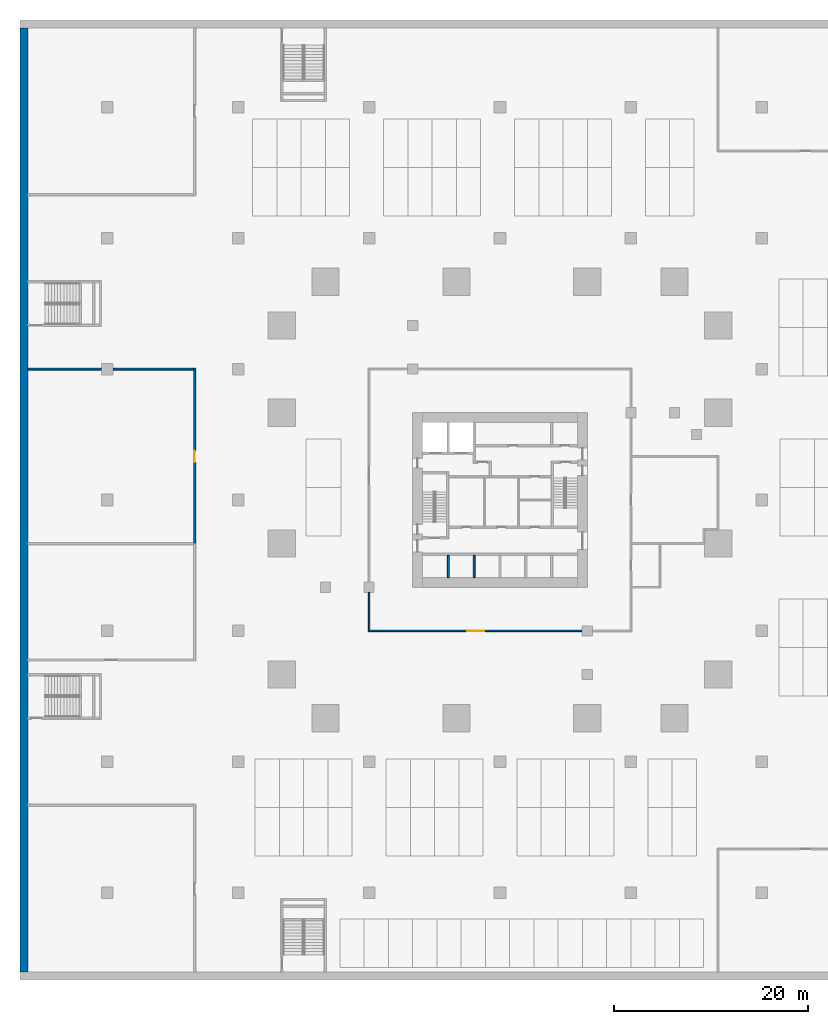
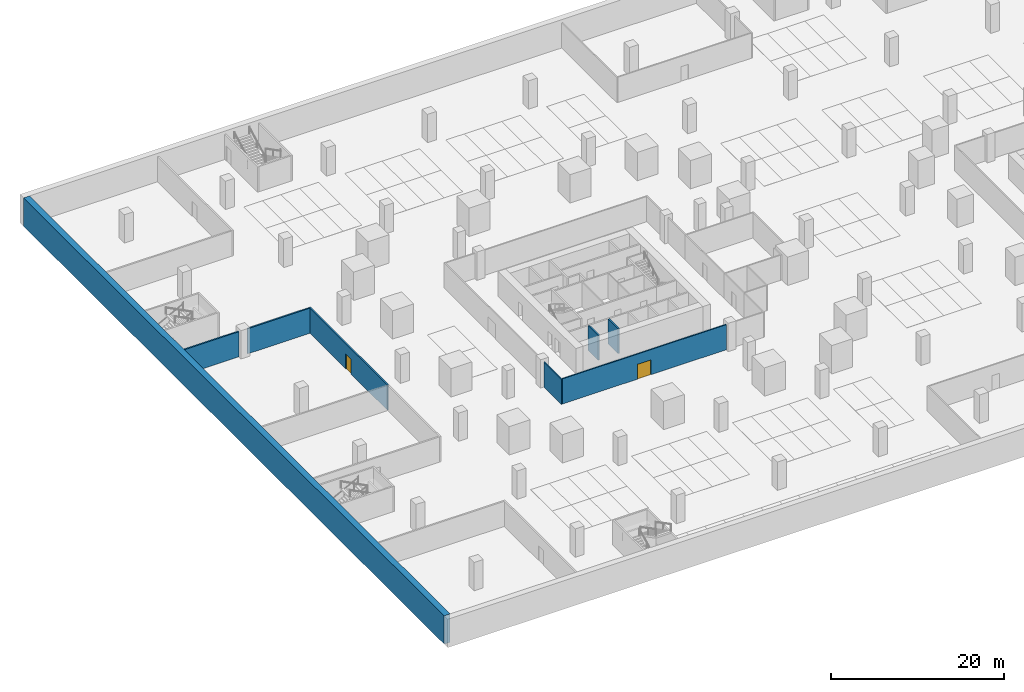
# One storey, part 3 of 31: 8 walls, 2 doors, 2 openings.
"""IFC4 building model written with IfcOpenShell, lengths in metres."""

import ifcopenshell
import ifcopenshell.guid

model = None  # the IFC model being written
_history = None  # IfcOwnerHistory: only IFC2X3 demands one
_inside = {}  # id of a spatial element -> (the spatial element, [elements in it])
_under = {}  # id of a project, library or spatial element -> (it, [spatial elements below it])
_declared = {}  # id of a project -> (the project, [libraries it declares])
_typed = {}  # id of a type object -> (the type object, [elements of that type])
_made_of = {}  # id of a material, layer set ... -> (it, [elements and type objects made of it])


def new_model(schema):
    """Start an empty IFC model of exactly this schema.

    Asked for "IFC4X3", IfcOpenShell would pick the latest addendum, in which some entities
    have other attributes; the version numbers below select the first issue.
    IFC2X3 requires an IfcOwnerHistory on every rooted entity: one is made here for all.
    """
    global model, _history
    if schema == "IFC4X3":
        model = ifcopenshell.file(schema_version=(4, 3, 0, 0))
    else:
        model = ifcopenshell.file(schema=schema)
    _inside.clear()
    _under.clear()
    _declared.clear()
    _typed.clear()
    _made_of.clear()
    _history = None
    if model.schema == "IFC2X3":
        org = make("IfcOrganization", Name="unknown")
        user = make(
            "IfcPersonAndOrganization",
            ThePerson=make("IfcPerson", FamilyName="unknown"),
            TheOrganization=org,
        )
        app = make(
            "IfcApplication",
            ApplicationDeveloper=org,
            Version="unknown",
            ApplicationFullName="unknown",
            ApplicationIdentifier="unknown",
        )
        _history = make(
            "IfcOwnerHistory",
            OwningUser=user,
            OwningApplication=app,
            ChangeAction="ADDED",
            CreationDate=0,
        )
    return model


def make(cls, **values):
    """One entity of the class cls with the attributes given. An attribute that is None is left unset."""
    return model.create_entity(
        cls, **{name: value for name, value in values.items() if value is not None}
    )


def rooted(cls, **values):
    """An entity with a GlobalId (a new one), such as an element, a storey or a relation."""
    return make(cls, GlobalId=ifcopenshell.guid.new(), OwnerHistory=_history, **values)


def si_unit(unit_type, name, prefix=None):
    """IfcSIUnit, for example si_unit("LENGTHUNIT", "METRE", prefix="MILLI")."""
    return make("IfcSIUnit", UnitType=unit_type, Prefix=prefix, Name=name)


def assignment(units):
    """IfcUnitAssignment: the units of a project."""
    return None if units is None else make("IfcUnitAssignment", Units=units)


def point(xyz):
    """IfcCartesianPoint."""
    return None if xyz is None else make("IfcCartesianPoint", Coordinates=xyz)


def direction(xyz):
    """IfcDirection."""
    return None if xyz is None else make("IfcDirection", DirectionRatios=xyz)


def frame(location, z_axis=None, x_axis=None):
    """IfcAxis2Placement3D, a coordinate frame: its origin and axes. An axis left out is left unset."""
    return make(
        "IfcAxis2Placement3D",
        Location=point(location),
        Axis=direction(z_axis),
        RefDirection=direction(x_axis),
    )


def frame_2d(location, x_axis=None):
    """IfcAxis2Placement2D, a coordinate frame in the plane: its origin and x axis."""
    return make(
        "IfcAxis2Placement2D", Location=point(location), RefDirection=direction(x_axis)
    )


def origin():
    """The frame at (0, 0, 0) with its axes left unset."""
    return frame((0.0, 0.0, 0.0))


def place(relative_to, where):
    """IfcLocalPlacement: puts the frame where relative to a parent placement (None: the world)."""
    return make(
        "IfcLocalPlacement", PlacementRelTo=relative_to, RelativePlacement=where
    )


def context(
    kind, dimensions, precision=None, world=None, true_north=None, identifier=None
):
    """IfcGeometricRepresentationContext, for example the 3D "Model" context."""
    return make(
        "IfcGeometricRepresentationContext",
        ContextIdentifier=identifier,
        ContextType=kind,
        CoordinateSpaceDimension=dimensions,
        Precision=precision,
        WorldCoordinateSystem=world,
        TrueNorth=true_north,
    )


def subcontext(parent, identifier, kind, view, scale=None):
    """IfcGeometricRepresentationSubContext, for example "Body" below "Model"."""
    return make(
        "IfcGeometricRepresentationSubContext",
        ContextIdentifier=identifier,
        ContextType=kind,
        ParentContext=parent,
        TargetScale=scale,
        TargetView=view,
    )


def project(units=None, contexts=None):
    """IfcProject with its units and contexts."""
    return rooted(
        "IfcProject",
        Name="project",
        RepresentationContexts=contexts,
        UnitsInContext=assignment(units),
    )


def spatial(cls, under=None, at=None, **own):
    """A site, building, storey or space (cls), placed at a placement, below another one or the project."""
    s = rooted(cls, ObjectPlacement=at, **own)
    if under is not None:
        _under.setdefault(under.id(), (under, []))[1].append(s)
    return s


def profile(cls, at=None, kind="AREA", **sizes):
    """A parametric profile (cls). Its sizes go by their IFC names, for example OverallWidth=200.0."""
    return make(cls, ProfileType=kind, Position=at, **sizes)


def rectangle(**sizes):
    """IfcRectangleProfileDef."""
    return profile("IfcRectangleProfileDef", **sizes)


def extrude(swept, where, along, depth):
    """IfcExtrudedAreaSolid: the profile swept, set in the frame where, extruded along a direction by depth."""
    return make(
        "IfcExtrudedAreaSolid",
        SweptArea=swept,
        Position=where,
        ExtrudedDirection=direction(along),
        Depth=depth,
    )


def shape(context_of_items, identifier, shape_type, items):
    """IfcShapeRepresentation: the items that make up one representation, for example the "Body"."""
    return make(
        "IfcShapeRepresentation",
        ContextOfItems=context_of_items,
        RepresentationIdentifier=identifier,
        RepresentationType=shape_type,
        Items=items,
    )


def material(Name=None, Category=None):
    """IfcMaterial."""
    return make("IfcMaterial", Name=Name, Category=Category)


def layer(
    of_material, thickness, ventilated=None, Name=None, Category=None, Priority=None
):
    """IfcMaterialLayer: one layer of a wall or slab, of a material (None: an air gap)."""
    return make(
        "IfcMaterialLayer",
        Material=of_material,
        LayerThickness=thickness,
        IsVentilated=ventilated,
        Name=Name,
        Category=Category,
        Priority=Priority,
    )


def layer_set(layers, Name=None):
    """IfcMaterialLayerSet."""
    return make("IfcMaterialLayerSet", MaterialLayers=layers, LayerSetName=Name)


def made_of(thing, what):
    """Note that an element or type object is made of a material, layer set ...; save() writes the relation."""
    if what is not None:
        _made_of.setdefault(what.id(), (what, []))[1].append(thing)
    return thing


def type_object(cls, material=None, **own):
    """A type object (cls), such as IfcWallType, which elements share."""
    return made_of(rooted(cls, **own), material)


def element(
    cls,
    number,
    at=None,
    inside=None,
    cuts=None,
    type_object=None,
    material=None,
    context=None,
    identifier="Body",
    shape_type=None,
    held_by="IfcProductDefinitionShape",
    body=None,
    shapes=None,
    **own,
):
    """One element of the class cls, such as IfcWall. Its Tag is "e" and its number.

    at: its placement. inside: the storey or other place that contains it. cuts: it is an
    opening in that element (IfcRelVoidsElement). A single representation is given by context,
    identifier, shape_type and body (its items); several are given by shapes. held_by: the class
    of the entity that holds the representations. save() writes the other relations.
    """
    e = rooted(cls, Tag="e%d" % number, ObjectPlacement=at, **own)
    if body is not None:
        shapes = [shape(context, identifier, shape_type, body)]
    if shapes is not None:
        e.Representation = make(held_by, Representations=shapes)
    if inside is not None:
        _inside.setdefault(inside.id(), (inside, []))[1].append(e)
    if cuts is not None:
        rooted(
            "IfcRelVoidsElement", RelatingBuildingElement=cuts, RelatedOpeningElement=e
        )
    if type_object is not None:
        _typed.setdefault(type_object.id(), (type_object, []))[1].append(e)
    return made_of(e, material)


def fill(opening, filler):
    """IfcRelFillsElement: the door or window that sits in an opening."""
    return rooted(
        "IfcRelFillsElement",
        RelatingOpeningElement=opening,
        RelatedBuildingElement=filler,
    )


def aggregate(whole, parts):
    """IfcRelAggregates: a whole, such as a stair, and the parts it consists of."""
    return rooted("IfcRelAggregates", RelatingObject=whole, RelatedObjects=parts)


def save(model, path):
    """Write the relations noted so far, then the file.

    IfcRelAggregates (storeys below a building ...), IfcRelContainedInSpatialStructure (elements
    in a storey), IfcRelDefinesByType, IfcRelAssociatesMaterial and IfcRelDeclares: one each for
    every whole, place, type object, material and project.
    """
    for whole, parts in _under.values():
        aggregate(whole, parts)
    for where, things in _inside.values():
        rooted(
            "IfcRelContainedInSpatialStructure",
            RelatedElements=things,
            RelatingStructure=where,
        )
    for kind, things in _typed.values():
        rooted("IfcRelDefinesByType", RelatedObjects=things, RelatingType=kind)
    for what, things in _made_of.values():
        rooted("IfcRelAssociatesMaterial", RelatedObjects=things, RelatingMaterial=what)
    for by, libraries in _declared.values():
        rooted("IfcRelDeclares", RelatingContext=by, RelatedDefinitions=libraries)
    model.write(path)


model = new_model("IFC4")

# Units and contexts
model_context = context("Model", 3, precision=1e-05, world=origin(), true_north=direction((0.0, 1.0)))
body_context = subcontext(model_context, "Body", "Model", "MODEL_VIEW")
ifc_project = project(units=[si_unit("LENGTHUNIT", "METRE"), si_unit("AREAUNIT", "SQUARE_METRE"), si_unit("VOLUMEUNIT", "CUBIC_METRE"), si_unit("PLANEANGLEUNIT", "RADIAN"), si_unit("MASSUNIT", "GRAM", prefix="KILO")], contexts=[model_context])

# Site, building, storey
site_placement = place(None, origin())
site = spatial("IfcSite", under=ifc_project, at=site_placement, CompositionType="ELEMENT")
building_placement = place(site_placement, origin())
building = spatial("IfcBuilding", under=site, at=building_placement, Name="Altepetl Exchange Towers", CompositionType="ELEMENT")
storey_placement = place(building_placement, frame((0.0, 0.0, -4.0)))
storey = spatial("IfcBuildingStorey", under=building, at=storey_placement, Name="B1 Basement services", CompositionType="ELEMENT", Elevation=-4.0)

# Wall, opening, door
ifc_material_1 = material(Name="Concrete block masonry", Category="masonry")
ifc_layer_1 = layer(ifc_material_1, 0.199951171875)
ifc_layer_set_1 = layer_set([ifc_layer_1], Name="Concrete block masonry")
wall_type_1 = type_object("IfcWallType", Name="Podium fire wall 200", PredefinedType="SOLIDWALL", material=ifc_layer_set_1)
wall_1_placement = place(storey_placement, frame((18.0, 45.0, 0.0), z_axis=(0.0, 0.0, 1.0), x_axis=(0.0, 1.0, 0.0)))
wall_1 = element("IfcWall", 1, at=wall_1_placement, inside=storey, type_object=wall_type_1, Name="wall:P:B1:P006", PredefinedType="SOLIDWALL", context=body_context, shape_type="SweptSolid", body=[
    extrude(rectangle(XDim=18.10009765625, YDim=0.199951171875, at=frame_2d((9.050048828125, 0.0))), origin(), (0.0, 0.0, 1.0), 3.550048828125),
])
opening_1_placement = place(wall_1_placement, frame((8.39990234375, 0.0, 0.0)))
opening_1 = element("IfcOpeningElement", 2, at=opening_1_placement, cuts=wall_1, Name="Opening B1.P003", PredefinedType="OPENING", context=body_context, shape_type="SweptSolid", body=[
    extrude(rectangle(XDim=1.199951171875, YDim=2.10009765625, at=frame_2d((0.60009765625, 1.050048828125))), frame((0.0, 0.10986328125, 0.0), z_axis=(0.0, -1.0, 0.0), x_axis=(1.0, 0.0, 0.0)), (0.0, 0.0, 1.0), 0.219970703125),
])
ifc_material_2 = material(Name="Steel fire door", Category="steel")
door_type_1 = type_object("IfcDoorType", Name="Podium fire door 1200 x 2100 double leaf", OperationType="DOUBLE_DOOR_SINGLE_SWING", PredefinedType="DOOR", material=ifc_material_2)
door_1_placement = place(opening_1_placement, origin())
door_1 = element("IfcDoor", 3, at=door_1_placement, inside=storey, type_object=door_type_1, Name="door:P:B1:003", OperationType="DOUBLE_DOOR_SINGLE_SWING", OverallHeight=2.10009765625, OverallWidth=1.199951171875, PredefinedType="DOOR", context=body_context, shape_type="SweptSolid", body=[
    extrude(rectangle(XDim=1.199951171875, YDim=2.10009765625, at=frame_2d((0.60009765625, 1.050048828125))), frame((0.0, 0.02490234375, 0.0), z_axis=(0.0, -1.0, 0.0), x_axis=(1.0, 0.0, 0.0)), (0.0, 0.0, 1.0), 0.050048828125),
])
fill(opening_1, door_1)

# Walls
wall_2_placement = place(storey_placement, frame((0.800048828125, 63.0, 0.0)))
element("IfcWall", 4, at=wall_2_placement, inside=storey, type_object=wall_type_1, Name="wall:P:B1:P007", PredefinedType="SOLIDWALL", context=body_context, shape_type="SweptSolid", body=[
    extrude(rectangle(XDim=7.60498046875, YDim=0.199951171875, at=frame_2d((3.802490234375, 0.0))), origin(), (0.0, 0.0, 1.0), 3.550048828125),
])
wall_3_placement = place(storey_placement, frame((9.594970703125, 63.0, 0.0)))
element("IfcWall", 5, at=wall_3_placement, inside=storey, type_object=wall_type_1, Name="wall:P:B1:P008", PredefinedType="SOLIDWALL", context=body_context, shape_type="SweptSolid", body=[
    extrude(rectangle(XDim=8.304931640625, YDim=0.199951171875, at=frame_2d((4.15234375, 0.0))), origin(), (0.0, 0.0, 1.0), 3.550048828125),
])
ifc_material_3 = material(Name="Gypsum board on steel studs", Category="steel")
ifc_layer_2 = layer(ifc_material_3, 0.14990234375)
ifc_layer_set_2 = layer_set([ifc_layer_2], Name="Gypsum board on steel studs")
wall_type_2 = type_object("IfcWallType", Name="Podium partition 150", PredefinedType="PARTITIONING", material=ifc_layer_set_2)
wall_4_placement = place(storey_placement, frame((36.0, 35.925048828125, 0.0), z_axis=(0.0, 0.0, 1.0), x_axis=(0.0, 1.0, 0.0)))
element("IfcWall", 6, at=wall_4_placement, inside=storey, type_object=wall_type_2, Name="wall:P:B1:P033", PredefinedType="PARTITIONING", context=body_context, shape_type="SweptSolid", body=[
    extrude(rectangle(XDim=4.054931640625, YDim=0.14990234375, at=frame_2d((2.02734375, 0.0))), origin(), (0.0, 0.0, 1.0), 3.550048828125),
])

# Wall, opening, door
wall_5_placement = place(storey_placement, frame((36.074951171875, 36.0, 0.0)))
wall_5 = element("IfcWall", 7, at=wall_5_placement, inside=storey, type_object=wall_type_2, Name="wall:P:B1:P038", PredefinedType="PARTITIONING", context=body_context, shape_type="SweptSolid", body=[
    extrude(rectangle(XDim=21.905029296875, YDim=0.14990234375, at=frame_2d((10.95263671875, 0.0))), origin(), (0.0, 0.0, 1.0), 3.550048828125),
])
opening_2_placement = place(wall_5_placement, frame((10.02490234375, 0.0, 0.0)))
opening_2 = element("IfcOpeningElement", 8, at=opening_2_placement, cuts=wall_5, Name="Opening B1.P022", PredefinedType="OPENING", context=body_context, shape_type="SweptSolid", body=[
    extrude(rectangle(XDim=1.800048828125, YDim=2.10009765625, at=frame_2d((0.89990234375, 1.050048828125))), frame((0.0, 0.0849609375, 0.0), z_axis=(0.0, -1.0, 0.0), x_axis=(1.0, 0.0, 0.0)), (0.0, 0.0, 1.0), 0.169921875),
])
ifc_material_4 = material(Name="Glazed aluminium and steel", Category="steel")
door_type_2 = type_object("IfcDoorType", Name="Podium fire door 1800 x 2100 double leaf", OperationType="DOUBLE_DOOR_SINGLE_SWING", PredefinedType="DOOR", material=ifc_material_4)
door_2_placement = place(opening_2_placement, origin())
door_2 = element("IfcDoor", 9, at=door_2_placement, inside=storey, type_object=door_type_2, Name="door:P:B1:022", OperationType="DOUBLE_DOOR_SINGLE_SWING", OverallHeight=2.10009765625, OverallWidth=1.800048828125, PredefinedType="DOOR", context=body_context, shape_type="SweptSolid", body=[
    extrude(rectangle(XDim=1.800048828125, YDim=2.10009765625, at=frame_2d((0.89990234375, 1.050048828125))), frame((0.0, 0.02490234375, 0.0), z_axis=(0.0, -1.0, 0.0), x_axis=(1.0, 0.0, 0.0)), (0.0, 0.0, 1.0), 0.050048828125),
])
fill(opening_2, door_2)

# Walls
ifc_material_5 = material(Name="Concrete C60/75", Category="concrete")
ifc_layer_3 = layer(ifc_material_5, 0.800048828125)
ifc_layer_set_3 = layer_set([ifc_layer_3], Name="Concrete C60/75")
wall_type_3 = type_object("IfcWallType", Name="Retaining wall 800", PredefinedType="SOLIDWALL", material=ifc_layer_set_3)
wall_6_placement = place(storey_placement, frame((0.39990234375, 0.800048828125, 0.0), z_axis=(0.0, 0.0, 1.0), x_axis=(0.0, 1.0, 0.0)))
element("IfcWall", 10, at=wall_6_placement, inside=storey, type_object=wall_type_3, Name="wall:P:B1:retW", PredefinedType="SOLIDWALL", context=body_context, shape_type="SweptSolid", body=[
    extrude(rectangle(XDim=97.39990234375, YDim=0.800048828125, at=frame_2d((48.699951171875, 0.0))), origin(), (0.0, 0.0, 1.0), 4.0),
])
ifc_material_6 = material(Name="Concrete C40/50", Category="concrete")
ifc_layer_4 = layer(ifc_material_6, 0.199951171875)
ifc_layer_set_4 = layer_set([ifc_layer_4], Name="Concrete C40/50")
wall_type_4 = type_object("IfcWallType", Name="Shaft wall 200 reinforced concrete", PredefinedType="SHEAR", material=ifc_layer_set_4)
for number, where, z_axis, x_axis, name in (
    (11, (44.166748046875, 41.5, 0.0), (0.0, 0.0, 1.0), (0.0, 1.0, 0.0), "wall:A:B1:K-divS1"),
    (12, (46.833251953125, 41.5, 0.0), (0.0, 0.0, 1.0), (0.0, 1.0, 0.0), "wall:A:B1:K-divS2"),
):
    element("IfcWall", number, at=place(storey_placement, frame(where, z_axis=z_axis, x_axis=x_axis)), inside=storey, type_object=wall_type_4, Name=name, PredefinedType="SHEAR", context=body_context, shape_type="SweptSolid", body=[
        extrude(rectangle(XDim=2.300048828125, YDim=0.199951171875, at=frame_2d((1.14990234375, 0.0))), origin(), (0.0, 0.0, 1.0), 3.5),
    ])

save(model, "model.ifc")
